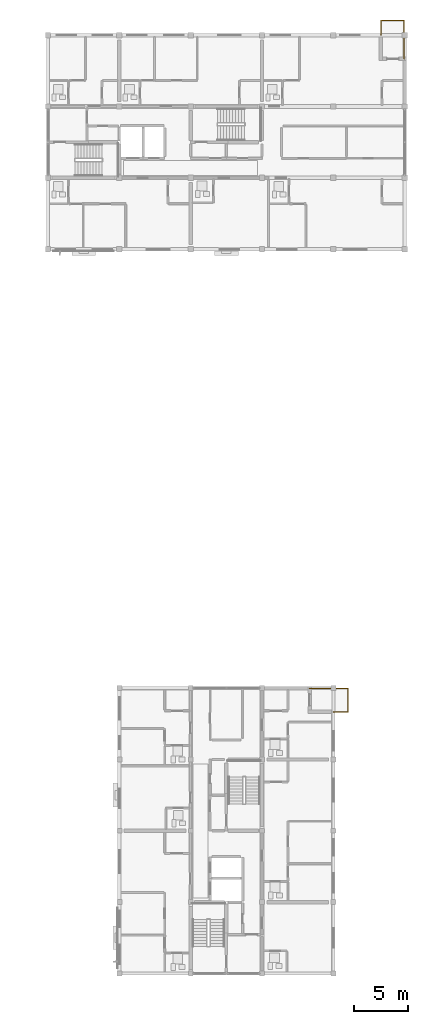
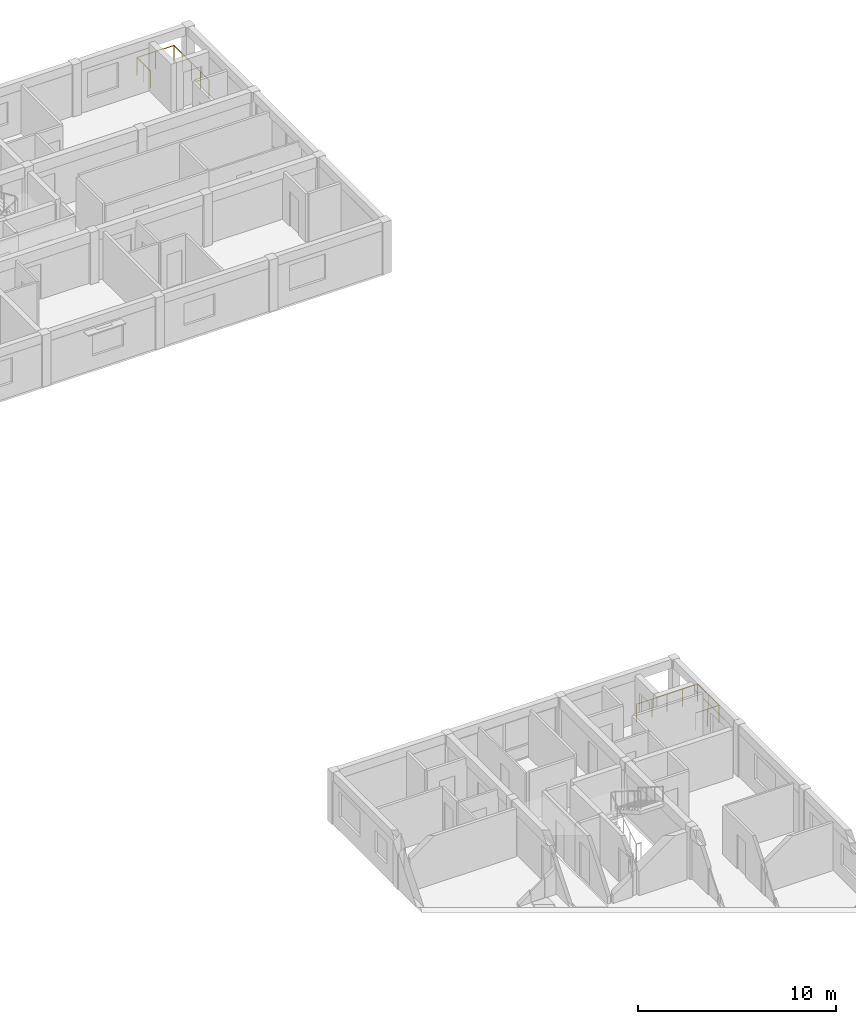
# One storey, part 52 of 53: 2 railings.
"""IFC4 building model written with IfcOpenShell, lengths in metres."""

from ifc_helpers import new_model, si_unit, direction, frame, origin, origin_2d, place, context, subcontext, project, spatial, circle, extrude, material, type_object, element, save


model = new_model("IFC4")

# Units and contexts
model_context = context("Model", 3, precision=1e-05, world=origin(), true_north=direction((0.0, 1.0)))
body_context = subcontext(model_context, "Body", "Model", "MODEL_VIEW")
ifc_project = project(units=[si_unit("LENGTHUNIT", "METRE"), si_unit("AREAUNIT", "SQUARE_METRE"), si_unit("VOLUMEUNIT", "CUBIC_METRE"), si_unit("PLANEANGLEUNIT", "RADIAN"), si_unit("MASSUNIT", "GRAM", prefix="KILO")], contexts=[model_context])

# Site, building, storey
site_placement = place(None, origin())
site = spatial("IfcSite", under=ifc_project, at=site_placement, CompositionType="ELEMENT")
building_placement = place(site_placement, origin())
building = spatial("IfcBuilding", under=site, at=building_placement, Name="Kernevlak Ridge Housing Community", CompositionType="ELEMENT")
storey_placement = place(building_placement, frame((0.0, 0.0, 18.0)))
storey = spatial("IfcBuildingStorey", under=building, at=storey_placement, Name="L05", CompositionType="ELEMENT", Elevation=18.0)

# Railings
ifc_material = material(Name="Steel S355", Category="steel")
railing_type = type_object("IfcRailingType", Name="BL-01", PredefinedType="BALUSTRADE", material=ifc_material)
railing_1_placement = place(storey_placement, frame((150.199951171875, 102.39990234375, 0.0)))
element("IfcRailing", 1, at=railing_1_placement, inside=storey, type_object=railing_type, Name="Block B L05 balcony balustrade BL-01 23", PredefinedType="BALUSTRADE", context=body_context, shape_type="SweptSolid", body=[
    extrude(circle(Radius=0.02392578125, at=origin_2d()), frame((0.0, 0.0, 1.076171875), z_axis=(0.0, 1.0, 0.0), x_axis=(-1.0, 0.0, 0.0)), (0.0, 0.0, 1.0), 1.35009765625),
    extrude(circle(Radius=0.02392578125, at=origin_2d()), frame((0.0, 1.35009765625, 1.076171875), z_axis=(1.0, 0.0, 0.0), x_axis=(0.0, 1.0, 0.0)), (0.0, 0.0, 1.0), 2.150146484375),
    extrude(circle(Radius=0.02392578125, at=origin_2d()), frame((2.150146484375, 1.35009765625, 1.076171875), z_axis=(0.0, -1.0, 0.0), x_axis=(1.0, 0.0, 0.0)), (0.0, 0.0, 1.0), 3.550048828125),
    extrude(circle(Radius=0.02099609375, at=origin_2d()), origin(), (0.0, 0.0, 1.0), 1.052001953125),
    extrude(circle(Radius=0.02099609375, at=origin_2d()), frame((0.0, 0.675048828125, 0.0)), (0.0, 0.0, 1.0), 1.052001953125),
    extrude(circle(Radius=0.02099609375, at=origin_2d()), frame((0.0, 1.35009765625, 0.0)), (0.0, 0.0, 1.0), 1.052001953125),
    extrude(circle(Radius=0.02099609375, at=origin_2d()), frame((1.0751953125, 1.35009765625, 0.0)), (0.0, 0.0, 1.0), 1.052001953125),
    extrude(circle(Radius=0.02099609375, at=origin_2d()), frame((2.150146484375, 1.35009765625, 0.0)), (0.0, 0.0, 1.0), 1.052001953125),
    extrude(circle(Radius=0.02099609375, at=origin_2d()), frame((2.150146484375, 0.462646484375, 0.0)), (0.0, 0.0, 1.0), 1.052001953125),
    extrude(circle(Radius=0.02099609375, at=origin_2d()), frame((2.150146484375, -0.4248046875, 0.0)), (0.0, 0.0, 1.0), 1.052001953125),
    extrude(circle(Radius=0.02099609375, at=origin_2d()), frame((2.150146484375, -1.3125, 0.0)), (0.0, 0.0, 1.0), 1.052001953125),
    extrude(circle(Radius=0.02099609375, at=origin_2d()), frame((2.150146484375, -2.199951171875, 0.0)), (0.0, 0.0, 1.0), 1.052001953125),
])
railing_2_placement = place(storey_placement, frame((145.800048828125, 39.800048828125, 0.0)))
element("IfcRailing", 2, at=railing_2_placement, inside=storey, type_object=railing_type, Name="Block C L05 balcony balustrade BL-01 38", PredefinedType="BALUSTRADE", context=body_context, shape_type="SweptSolid", body=[
    extrude(circle(Radius=0.02392578125, at=origin_2d()), frame((0.0, 0.0, 1.076171875), z_axis=(1.0, 0.0, 0.0), x_axis=(0.0, 1.0, 0.0)), (0.0, 0.0, 1.0), 1.349853515625),
    extrude(circle(Radius=0.02392578125, at=origin_2d()), frame((1.349853515625, 0.0, 1.076171875), z_axis=(0.0, 1.0, 0.0), x_axis=(-1.0, 0.0, 0.0)), (0.0, 0.0, 1.0), 2.14990234375),
    extrude(circle(Radius=0.02392578125, at=origin_2d()), frame((1.349853515625, 2.14990234375, 1.076171875), z_axis=(-1.0, 0.0, 0.0), x_axis=(0.0, -1.0, 0.0)), (0.0, 0.0, 1.0), 3.5498046875),
    extrude(circle(Radius=0.02099609375, at=origin_2d()), origin(), (0.0, 0.0, 1.0), 1.052001953125),
    extrude(circle(Radius=0.02099609375, at=origin_2d()), frame((0.6748046875, 0.0, 0.0)), (0.0, 0.0, 1.0), 1.052001953125),
    extrude(circle(Radius=0.02099609375, at=origin_2d()), frame((1.349853515625, 0.0, 0.0)), (0.0, 0.0, 1.0), 1.052001953125),
    extrude(circle(Radius=0.02099609375, at=origin_2d()), frame((1.349853515625, 1.074951171875, 0.0)), (0.0, 0.0, 1.0), 1.052001953125),
    extrude(circle(Radius=0.02099609375, at=origin_2d()), frame((1.349853515625, 2.14990234375, 0.0)), (0.0, 0.0, 1.0), 1.052001953125),
    extrude(circle(Radius=0.02099609375, at=origin_2d()), frame((0.46240234375, 2.14990234375, 0.0)), (0.0, 0.0, 1.0), 1.052001953125),
    extrude(circle(Radius=0.02099609375, at=origin_2d()), frame((-0.425048828125, 2.14990234375, 0.0)), (0.0, 0.0, 1.0), 1.052001953125),
    extrude(circle(Radius=0.02099609375, at=origin_2d()), frame((-1.3125, 2.14990234375, 0.0)), (0.0, 0.0, 1.0), 1.052001953125),
    extrude(circle(Radius=0.02099609375, at=origin_2d()), frame((-2.199951171875, 2.14990234375, 0.0)), (0.0, 0.0, 1.0), 1.052001953125),
])

save(model, "model.ifc")
